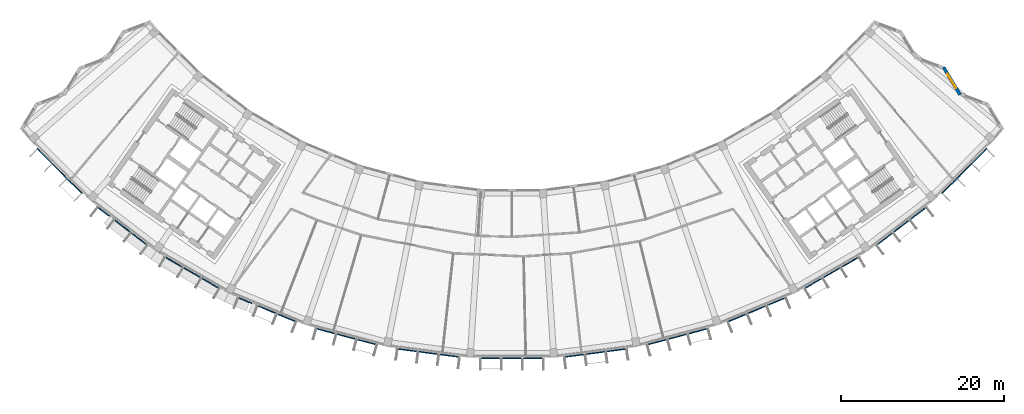
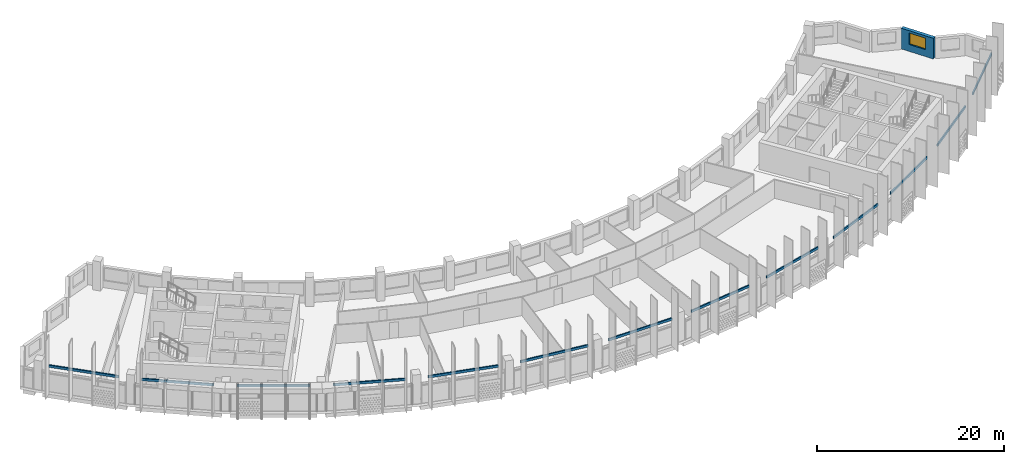
# One storey, part 8 of 28: 13 discrete accessories, 1 wall, 1 window, 1 opening.
"""IFC4 building model written with IfcOpenShell, lengths in metres."""

from ifc_helpers import new_model, si_unit, direction, frame, frame_2d, origin, origin_2d, place, context, subcontext, project, spatial, rectangle, extrude, material, layer, layer_set, type_object, element, fill, save


model = new_model("IFC4")

# Units and contexts
model_context = context("Model", 3, precision=1e-05, world=origin(), true_north=direction((0.0, 1.0)))
body_context = subcontext(model_context, "Body", "Model", "MODEL_VIEW")
ifc_project = project(units=[si_unit("LENGTHUNIT", "METRE"), si_unit("AREAUNIT", "SQUARE_METRE"), si_unit("VOLUMEUNIT", "CUBIC_METRE"), si_unit("PLANEANGLEUNIT", "RADIAN"), si_unit("MASSUNIT", "GRAM", prefix="KILO")], contexts=[model_context])

# Site, building, storey
site_placement = place(None, origin())
site = spatial("IfcSite", under=ifc_project, at=site_placement, CompositionType="ELEMENT")
building_placement = place(site_placement, origin())
building = spatial("IfcBuilding", under=site, at=building_placement, Name="Qamariyya Broadcast Tower", CompositionType="ELEMENT")
storey_placement = place(building_placement, frame((0.0, 0.0, 265.699951171875)))
storey = spatial("IfcBuildingStorey", under=building, at=storey_placement, Name="L64", CompositionType="ELEMENT", Elevation=265.699951171875)

# Wall, opening, window
ifc_material_1 = material(Name="Terracotta", Category="masonry")
ifc_layer = layer(ifc_material_1, 0.39990234375)
ifc_layer_set = layer_set([ifc_layer], Name="Terracotta clad wall 400")
wall_type = type_object("IfcWallType", Name="Terracotta clad wall 400", PredefinedType="SOLIDWALL", material=ifc_layer_set)
wall_placement = place(storey_placement, frame((54.8251953125, -46.0029296875, 0.0), z_axis=(0.0, 0.0, 1.0), x_axis=(-0.516238231536, 0.856445029352, 0.0)))
wall = element("IfcWall", 1, at=wall_placement, inside=storey, type_object=wall_type, Name="e-wl-L64-capE2", PredefinedType="SOLIDWALL", context=body_context, shape_type="SweptSolid", body=[
    extrude(rectangle(XDim=3.91259765625, YDim=0.39990234375, at=frame_2d((1.956298828125, 0.0))), origin(), (0.0, 0.0, 1.0), 2.699951171875),
])
opening_placement = place(wall_placement, frame((0.956298828125, 0.0, 0.89990234375)))
opening = element("IfcOpeningElement", 2, at=opening_placement, cuts=wall, Name="Opening W4", PredefinedType="OPENING", context=body_context, shape_type="SweptSolid", body=[
    extrude(rectangle(XDim=2.0, YDim=1.5, at=frame_2d((1.0, 0.75))), frame((0.0, 0.2099609375, 0.0), z_axis=(0.0, -1.0, 0.0), x_axis=(1.0, 0.0, 0.0)), (0.0, 0.0, 1.0), 0.419921875),
])
ifc_material_2 = material(Name="Clear low-e double glazed unit in aluminium frame", Category="aluminium")
window_type = type_object("IfcWindowType", Name="Horn bay window 2000 x 1500", PartitioningType="SINGLE_PANEL", PredefinedType="WINDOW", material=ifc_material_2)
window_placement = place(opening_placement, origin())
window = element("IfcWindow", 3, at=window_placement, inside=storey, type_object=window_type, Name="e-w-L64-capE2", OverallHeight=1.5, OverallWidth=2.0, PartitioningType="SINGLE_PANEL", PredefinedType="WINDOW", context=body_context, shape_type="SweptSolid", body=[
    extrude(rectangle(XDim=2.0, YDim=1.5, at=frame_2d((1.0, 0.75))), frame((0.0, 0.030029296875, 0.0), z_axis=(0.0, -1.0, 0.0), x_axis=(1.0, 0.0, 0.0)), (0.0, 0.0, 1.0), 0.06005859375),
])
fill(opening, window)

# Discrete accessories
ifc_material_3 = material(Name="Stainless steel 316", Category="steel")
discrete_accessory_type = type_object("IfcDiscreteAccessoryType", Name="Slab edge fixing angle, stainless steel", PredefinedType="BRACKET", material=ifc_material_3)
for number, where, z_axis, x_axis, name in (
    (4, (-55.336181640625, -55.336181640625, 3.2998046875), (0.0, 0.0, 1.0), (0.707106781187, -0.707106781187, 0.0), "e-br-L64-01-0"),
    (5, (-47.639892578125, -62.085693359375, 3.2998046875), (0.0, 0.0, 1.0), (0.793353340291, -0.608761429009, 0.0), "e-br-L64-02-0"),
    (6, (-39.128662109375, -67.772705078125, 3.2998046875), (0.0, 0.0, 1.0), (0.866025403784, -0.5, 0.0), "e-br-L64-03-0"),
    (7, (-29.94775390625, -72.30029296875, 3.2998046875), (0.0, 0.0, 1.0), (0.923879532511, -0.382683432365, 0.0), "e-br-L64-04-0"),
    (8, (-20.25439453125, -75.590576171875, 3.2998046875), (0.0, 0.0, 1.0), (0.965925826289, -0.258819045103, 0.0), "e-br-L64-05-0"),
    (9, (-10.214599609375, -77.587646484375, 3.2998046875), (0.0, 0.0, 1.0), (0.991444861374, -0.13052619222, 0.0), "e-br-L64-06-0"),
    (10, (0.0, -78.25732421875, 3.2998046875), (0.0, 0.0, 1.0), (1.0, 0.0, 0.0), "e-br-L64-07-0"),
    (11, (10.214599609375, -77.587646484375, 3.2998046875), (0.0, 0.0, 1.0), (0.991444861374, 0.13052619222, 0.0), "e-br-L64-08-0"),
    (12, (20.25439453125, -75.590576171875, 3.2998046875), (0.0, 0.0, 1.0), (0.965925826289, 0.258819045103, 0.0), "e-br-L64-09-0"),
    (13, (29.94775390625, -72.30029296875, 3.2998046875), (0.0, 0.0, 1.0), (0.923879532511, 0.382683432365, 0.0), "e-br-L64-10-0"),
    (14, (39.128662109375, -67.772705078125, 3.2998046875), (0.0, 0.0, 1.0), (0.866025403784, 0.5, 0.0), "e-br-L64-11-0"),
    (15, (47.639892578125, -62.085693359375, 3.2998046875), (0.0, 0.0, 1.0), (0.793353340291, 0.608761429009, 0.0), "e-br-L64-12-0"),
    (16, (55.336181640625, -55.336181640625, 3.2998046875), (0.0, 0.0, 1.0), (0.707106781187, 0.707106781187, 0.0), "e-br-L64-13-0"),
):
    element("IfcDiscreteAccessory", number, at=place(storey_placement, frame(where, z_axis=z_axis, x_axis=x_axis)), inside=storey, type_object=discrete_accessory_type, Name=name, PredefinedType="BRACKET", context=body_context, shape_type="SweptSolid", body=[
        extrude(rectangle(XDim=7.78662109375, YDim=0.14990234375, at=origin_2d()), origin(), (0.0, 0.0, 1.0), 0.300048828125),
    ])

save(model, "model.ifc")
